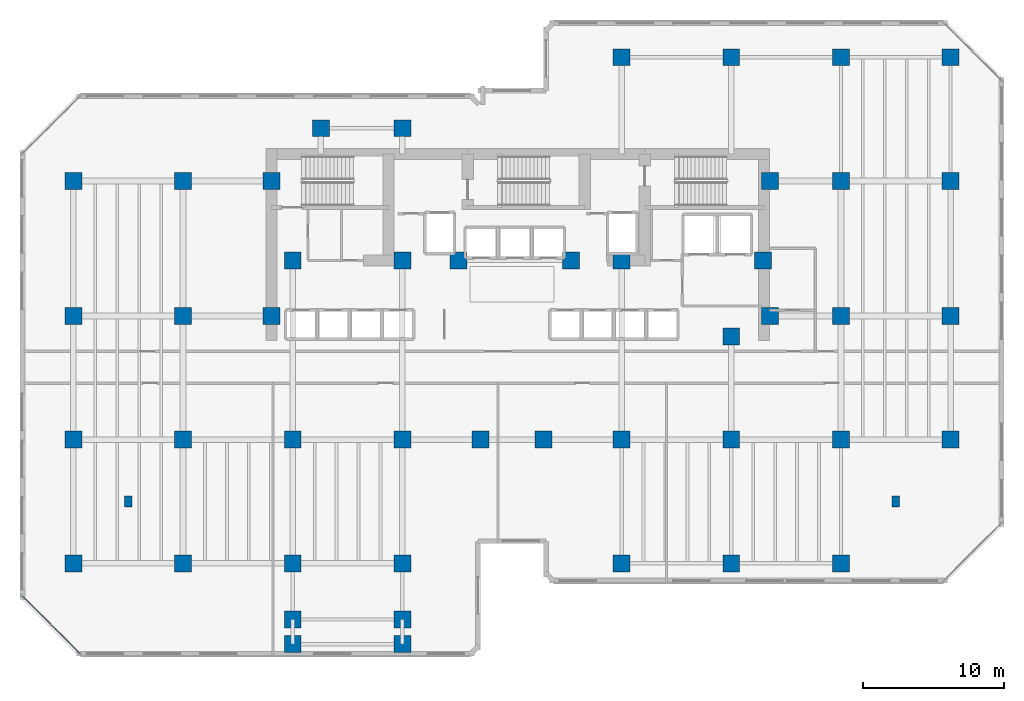
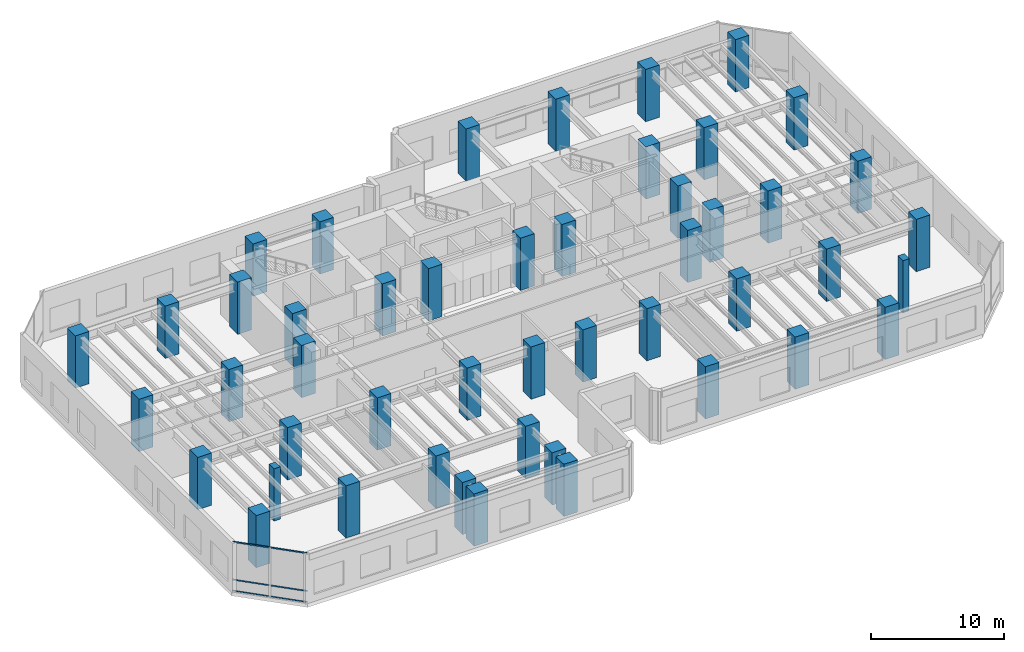
# One storey, part 1 of 17: 48 columns, 6 members, 1 element without a shape of its own.
"""IFC4 building model written with IfcOpenShell, lengths in metres."""

import ifcopenshell
import ifcopenshell.guid

model = None  # the IFC model being written
_history = None  # IfcOwnerHistory: only IFC2X3 demands one
_inside = {}  # id of a spatial element -> (the spatial element, [elements in it])
_under = {}  # id of a project, library or spatial element -> (it, [spatial elements below it])
_declared = {}  # id of a project -> (the project, [libraries it declares])
_typed = {}  # id of a type object -> (the type object, [elements of that type])
_made_of = {}  # id of a material, layer set ... -> (it, [elements and type objects made of it])


def new_model(schema):
    """Start an empty IFC model of exactly this schema.

    Asked for "IFC4X3", IfcOpenShell would pick the latest addendum, in which some entities
    have other attributes; the version numbers below select the first issue.
    IFC2X3 requires an IfcOwnerHistory on every rooted entity: one is made here for all.
    """
    global model, _history
    if schema == "IFC4X3":
        model = ifcopenshell.file(schema_version=(4, 3, 0, 0))
    else:
        model = ifcopenshell.file(schema=schema)
    _inside.clear()
    _under.clear()
    _declared.clear()
    _typed.clear()
    _made_of.clear()
    _history = None
    if model.schema == "IFC2X3":
        org = make("IfcOrganization", Name="unknown")
        user = make(
            "IfcPersonAndOrganization",
            ThePerson=make("IfcPerson", FamilyName="unknown"),
            TheOrganization=org,
        )
        app = make(
            "IfcApplication",
            ApplicationDeveloper=org,
            Version="unknown",
            ApplicationFullName="unknown",
            ApplicationIdentifier="unknown",
        )
        _history = make(
            "IfcOwnerHistory",
            OwningUser=user,
            OwningApplication=app,
            ChangeAction="ADDED",
            CreationDate=0,
        )
    return model


def make(cls, **values):
    """One entity of the class cls with the attributes given. An attribute that is None is left unset."""
    return model.create_entity(
        cls, **{name: value for name, value in values.items() if value is not None}
    )


def rooted(cls, **values):
    """An entity with a GlobalId (a new one), such as an element, a storey or a relation."""
    return make(cls, GlobalId=ifcopenshell.guid.new(), OwnerHistory=_history, **values)


def si_unit(unit_type, name, prefix=None):
    """IfcSIUnit, for example si_unit("LENGTHUNIT", "METRE", prefix="MILLI")."""
    return make("IfcSIUnit", UnitType=unit_type, Prefix=prefix, Name=name)


def assignment(units):
    """IfcUnitAssignment: the units of a project."""
    return None if units is None else make("IfcUnitAssignment", Units=units)


def point(xyz):
    """IfcCartesianPoint."""
    return None if xyz is None else make("IfcCartesianPoint", Coordinates=xyz)


def direction(xyz):
    """IfcDirection."""
    return None if xyz is None else make("IfcDirection", DirectionRatios=xyz)


def frame(location, z_axis=None, x_axis=None):
    """IfcAxis2Placement3D, a coordinate frame: its origin and axes. An axis left out is left unset."""
    return make(
        "IfcAxis2Placement3D",
        Location=point(location),
        Axis=direction(z_axis),
        RefDirection=direction(x_axis),
    )


def frame_2d(location, x_axis=None):
    """IfcAxis2Placement2D, a coordinate frame in the plane: its origin and x axis."""
    return make(
        "IfcAxis2Placement2D", Location=point(location), RefDirection=direction(x_axis)
    )


def origin():
    """The frame at (0, 0, 0) with its axes left unset."""
    return frame((0.0, 0.0, 0.0))


def origin_2d():
    """The frame at (0, 0) in the plane with its x axis left unset."""
    return frame_2d((0.0, 0.0))


def place(relative_to, where):
    """IfcLocalPlacement: puts the frame where relative to a parent placement (None: the world)."""
    return make(
        "IfcLocalPlacement", PlacementRelTo=relative_to, RelativePlacement=where
    )


def context(
    kind, dimensions, precision=None, world=None, true_north=None, identifier=None
):
    """IfcGeometricRepresentationContext, for example the 3D "Model" context."""
    return make(
        "IfcGeometricRepresentationContext",
        ContextIdentifier=identifier,
        ContextType=kind,
        CoordinateSpaceDimension=dimensions,
        Precision=precision,
        WorldCoordinateSystem=world,
        TrueNorth=true_north,
    )


def subcontext(parent, identifier, kind, view, scale=None):
    """IfcGeometricRepresentationSubContext, for example "Body" below "Model"."""
    return make(
        "IfcGeometricRepresentationSubContext",
        ContextIdentifier=identifier,
        ContextType=kind,
        ParentContext=parent,
        TargetScale=scale,
        TargetView=view,
    )


def project(units=None, contexts=None):
    """IfcProject with its units and contexts."""
    return rooted(
        "IfcProject",
        Name="project",
        RepresentationContexts=contexts,
        UnitsInContext=assignment(units),
    )


def spatial(cls, under=None, at=None, **own):
    """A site, building, storey or space (cls), placed at a placement, below another one or the project."""
    s = rooted(cls, ObjectPlacement=at, **own)
    if under is not None:
        _under.setdefault(under.id(), (under, []))[1].append(s)
    return s


def profile(cls, at=None, kind="AREA", **sizes):
    """A parametric profile (cls). Its sizes go by their IFC names, for example OverallWidth=200.0."""
    return make(cls, ProfileType=kind, Position=at, **sizes)


def rectangle(**sizes):
    """IfcRectangleProfileDef."""
    return profile("IfcRectangleProfileDef", **sizes)


def hollow_rectangle(**sizes):
    """IfcRectangleHollowProfileDef."""
    return profile("IfcRectangleHollowProfileDef", **sizes)


def extrude(swept, where, along, depth):
    """IfcExtrudedAreaSolid: the profile swept, set in the frame where, extruded along a direction by depth."""
    return make(
        "IfcExtrudedAreaSolid",
        SweptArea=swept,
        Position=where,
        ExtrudedDirection=direction(along),
        Depth=depth,
    )


def shape(context_of_items, identifier, shape_type, items):
    """IfcShapeRepresentation: the items that make up one representation, for example the "Body"."""
    return make(
        "IfcShapeRepresentation",
        ContextOfItems=context_of_items,
        RepresentationIdentifier=identifier,
        RepresentationType=shape_type,
        Items=items,
    )


def material(Name=None, Category=None):
    """IfcMaterial."""
    return make("IfcMaterial", Name=Name, Category=Category)


def layer(
    of_material, thickness, ventilated=None, Name=None, Category=None, Priority=None
):
    """IfcMaterialLayer: one layer of a wall or slab, of a material (None: an air gap)."""
    return make(
        "IfcMaterialLayer",
        Material=of_material,
        LayerThickness=thickness,
        IsVentilated=ventilated,
        Name=Name,
        Category=Category,
        Priority=Priority,
    )


def layer_set(layers, Name=None):
    """IfcMaterialLayerSet."""
    return make("IfcMaterialLayerSet", MaterialLayers=layers, LayerSetName=Name)


def material_profile(
    of_material, cross_section, Name=None, Category=None, Priority=None
):
    """IfcMaterialProfile: a cross section and its material."""
    return make(
        "IfcMaterialProfile",
        Name=Name,
        Material=of_material,
        Profile=cross_section,
        Priority=Priority,
        Category=Category,
    )


def profile_set(profiles, Name=None, composite=None):
    """IfcMaterialProfileSet."""
    return make(
        "IfcMaterialProfileSet",
        Name=Name,
        MaterialProfiles=profiles,
        CompositeProfile=composite,
    )


def made_of(thing, what):
    """Note that an element or type object is made of a material, layer set ...; save() writes the relation."""
    if what is not None:
        _made_of.setdefault(what.id(), (what, []))[1].append(thing)
    return thing


def type_object(cls, material=None, **own):
    """A type object (cls), such as IfcWallType, which elements share."""
    return made_of(rooted(cls, **own), material)


def element(
    cls,
    number,
    at=None,
    inside=None,
    cuts=None,
    type_object=None,
    material=None,
    context=None,
    identifier="Body",
    shape_type=None,
    held_by="IfcProductDefinitionShape",
    body=None,
    shapes=None,
    **own,
):
    """One element of the class cls, such as IfcWall. Its Tag is "e" and its number.

    at: its placement. inside: the storey or other place that contains it. cuts: it is an
    opening in that element (IfcRelVoidsElement). A single representation is given by context,
    identifier, shape_type and body (its items); several are given by shapes. held_by: the class
    of the entity that holds the representations. save() writes the other relations.
    """
    e = rooted(cls, Tag="e%d" % number, ObjectPlacement=at, **own)
    if body is not None:
        shapes = [shape(context, identifier, shape_type, body)]
    if shapes is not None:
        e.Representation = make(held_by, Representations=shapes)
    if inside is not None:
        _inside.setdefault(inside.id(), (inside, []))[1].append(e)
    if cuts is not None:
        rooted(
            "IfcRelVoidsElement", RelatingBuildingElement=cuts, RelatedOpeningElement=e
        )
    if type_object is not None:
        _typed.setdefault(type_object.id(), (type_object, []))[1].append(e)
    return made_of(e, material)


def aggregate(whole, parts):
    """IfcRelAggregates: a whole, such as a stair, and the parts it consists of."""
    return rooted("IfcRelAggregates", RelatingObject=whole, RelatedObjects=parts)


def save(model, path):
    """Write the relations noted so far, then the file.

    IfcRelAggregates (storeys below a building ...), IfcRelContainedInSpatialStructure (elements
    in a storey), IfcRelDefinesByType, IfcRelAssociatesMaterial and IfcRelDeclares: one each for
    every whole, place, type object, material and project.
    """
    for whole, parts in _under.values():
        aggregate(whole, parts)
    for where, things in _inside.values():
        rooted(
            "IfcRelContainedInSpatialStructure",
            RelatedElements=things,
            RelatingStructure=where,
        )
    for kind, things in _typed.values():
        rooted("IfcRelDefinesByType", RelatedObjects=things, RelatingType=kind)
    for what, things in _made_of.values():
        rooted("IfcRelAssociatesMaterial", RelatedObjects=things, RelatingMaterial=what)
    for by, libraries in _declared.values():
        rooted("IfcRelDeclares", RelatingContext=by, RelatedDefinitions=libraries)
    model.write(path)


model = new_model("IFC4")

# Units and contexts
model_context = context("Model", 3, precision=1e-05, world=origin(), true_north=direction((0.0, 1.0)))
body_context = subcontext(model_context, "Body", "Model", "MODEL_VIEW")
ifc_project = project(units=[si_unit("LENGTHUNIT", "METRE"), si_unit("AREAUNIT", "SQUARE_METRE"), si_unit("VOLUMEUNIT", "CUBIC_METRE"), si_unit("PLANEANGLEUNIT", "RADIAN"), si_unit("MASSUNIT", "GRAM", prefix="KILO")], contexts=[model_context])

# Site, building, storey
site_placement = place(None, origin())
site = spatial("IfcSite", under=ifc_project, at=site_placement, CompositionType="ELEMENT")
building_placement = place(site_placement, origin())
building = spatial("IfcBuilding", under=site, at=building_placement, Name="Kestravale Grand Hotel", CompositionType="ELEMENT")
storey_placement = place(building_placement, frame((0.0, 0.0, 129.800048828125)))
storey = spatial("IfcBuildingStorey", under=building, at=storey_placement, Name="L32", CompositionType="ELEMENT", Elevation=129.800048828125)

# Columns
ifc_material_1 = material(Name="Concrete f'c 60 MPa", Category="concrete")
ifc_material_profile_1 = material_profile(ifc_material_1, rectangle(XDim=1.199951171875, YDim=1.199951171875, at=origin_2d()))
ifc_profile_set_1 = profile_set([ifc_material_profile_1], Name="Concrete f'c 60 MPa")
column_type_1 = type_object("IfcColumnType", Name="C-Z2-1200", PredefinedType="COLUMN", material=ifc_profile_set_1)
for number, where, z_axis, x_axis, name in (
    (1, (7.800048828125, 11.199951171875, 0.0), (0.0, 0.0, 1.0), (1.0, 0.0, 0.0), "L32 column 2-C"),
    (2, (7.800048828125, 20.0, 0.0), (0.0, 0.0, 1.0), (1.0, 0.0, 0.0), "L32 column 2-D"),
    (3, (7.800048828125, 28.800048828125, 0.0), (0.0, 0.0, 1.0), (1.0, 0.0, 0.0), "L32 column 2-E"),
    (4, (7.800048828125, 38.39990234375, 0.0), (0.0, 0.0, 1.0), (1.0, 0.0, 0.0), "L32 column 2-F"),
    (5, (15.60009765625, 11.199951171875, 0.0), (0.0, 0.0, 1.0), (1.0, 0.0, 0.0), "L32 column 3-C"),
    (6, (15.60009765625, 20.0, 0.0), (0.0, 0.0, 1.0), (1.0, 0.0, 0.0), "L32 column 3-D"),
    (7, (15.60009765625, 28.800048828125, 0.0), (0.0, 0.0, 1.0), (1.0, 0.0, 0.0), "L32 column 3-E"),
    (8, (15.60009765625, 38.39990234375, 0.0), (0.0, 0.0, 1.0), (1.0, 0.0, 0.0), "L32 column 3-F"),
    (9, (23.39990234375, 11.199951171875, 0.0), (0.0, 0.0, 1.0), (1.0, 0.0, 0.0), "L32 column 4-C"),
    (10, (23.39990234375, 20.0, 0.0), (0.0, 0.0, 1.0), (1.0, 0.0, 0.0), "L32 column 4-D"),
    (11, (31.199951171875, 11.199951171875, 0.0), (0.0, 0.0, 1.0), (1.0, 0.0, 0.0), "L32 column 5-C"),
    (12, (31.199951171875, 20.0, 0.0), (0.0, 0.0, 1.0), (1.0, 0.0, 0.0), "L32 column 5-D"),
    (13, (36.75, 20.0, 0.0), (0.0, 0.0, 1.0), (1.0, 0.0, 0.0), "L32 column 6-D"),
    (14, (41.25, 20.0, 0.0), (0.0, 0.0, 1.0), (1.0, 0.0, 0.0), "L32 column 7-D"),
    (15, (46.800048828125, 11.199951171875, 0.0), (0.0, 0.0, 1.0), (1.0, 0.0, 0.0), "L32 column 8-C"),
    (16, (46.800048828125, 20.0, 0.0), (0.0, 0.0, 1.0), (1.0, 0.0, 0.0), "L32 column 8-D"),
    (17, (46.800048828125, 47.199951171875, 0.0), (0.0, 0.0, 1.0), (1.0, 0.0, 0.0), "L32 column 8-G"),
    (18, (54.60009765625, 11.199951171875, 0.0), (0.0, 0.0, 1.0), (1.0, 0.0, 0.0), "L32 column 9-C"),
    (19, (54.60009765625, 20.0, 0.0), (0.0, 0.0, 1.0), (1.0, 0.0, 0.0), "L32 column 9-D"),
    (20, (54.60009765625, 47.199951171875, 0.0), (0.0, 0.0, 1.0), (1.0, 0.0, 0.0), "L32 column 9-G"),
    (21, (62.39990234375, 11.199951171875, 0.0), (0.0, 0.0, 1.0), (1.0, 0.0, 0.0), "L32 column 10-C"),
    (22, (62.39990234375, 20.0, 0.0), (0.0, 0.0, 1.0), (1.0, 0.0, 0.0), "L32 column 10-D"),
    (23, (62.39990234375, 28.800048828125, 0.0), (0.0, 0.0, 1.0), (1.0, 0.0, 0.0), "L32 column 10-E"),
    (24, (62.39990234375, 38.39990234375, 0.0), (0.0, 0.0, 1.0), (1.0, 0.0, 0.0), "L32 column 10-F"),
    (25, (62.39990234375, 47.199951171875, 0.0), (0.0, 0.0, 1.0), (1.0, 0.0, 0.0), "L32 column 10-G"),
    (26, (70.199951171875, 20.0, 0.0), (0.0, 0.0, 1.0), (1.0, 0.0, 0.0), "L32 column 11-D"),
    (27, (70.199951171875, 28.800048828125, 0.0), (0.0, 0.0, 1.0), (1.0, 0.0, 0.0), "L32 column 11-E"),
    (28, (70.199951171875, 38.39990234375, 0.0), (0.0, 0.0, 1.0), (1.0, 0.0, 0.0), "L32 column 11-F"),
    (29, (70.199951171875, 47.199951171875, 0.0), (0.0, 0.0, 1.0), (1.0, 0.0, 0.0), "L32 column 11-G"),
    (30, (21.89990234375, 28.800048828125, 0.0), (0.0, 0.0, 1.0), (1.0, 0.0, 0.0), "L32 column CW-E"),
    (31, (21.89990234375, 38.39990234375, 0.0), (0.0, 0.0, 1.0), (1.0, 0.0, 0.0), "L32 column CW-F"),
    (32, (57.35009765625, 28.800048828125, 0.0), (0.0, 0.0, 1.0), (1.0, 0.0, 0.0), "L32 column CE-E"),
    (33, (57.35009765625, 38.39990234375, 0.0), (0.0, 0.0, 1.0), (1.0, 0.0, 0.0), "L32 column CE-F"),
    (34, (23.39990234375, 32.75, 0.0), (0.0, 0.0, 1.0), (1.0, 0.0, 0.0), "L32 column 4-CS"),
    (35, (31.199951171875, 32.75, 0.0), (0.0, 0.0, 1.0), (1.0, 0.0, 0.0), "L32 column 5-CS"),
    (36, (35.199951171875, 32.75, 0.0), (0.0, 0.0, 1.0), (1.0, 0.0, 0.0), "L32 column 6C-CS"),
    (37, (43.199951171875, 32.75, 0.0), (0.0, 0.0, 1.0), (1.0, 0.0, 0.0), "L32 column 7C-CS"),
    (38, (46.800048828125, 32.75, 0.0), (0.0, 0.0, 1.0), (1.0, 0.0, 0.0), "L32 column 8-CS"),
    (39, (54.60009765625, 27.35009765625, 0.0), (0.0, 0.0, 1.0), (1.0, 0.0, 0.0), "L32 column 9-CS"),
    (40, (56.85009765625, 32.75, 0.0), (0.0, 0.0, 1.0), (1.0, 0.0, 0.0), "L32 column 9C-CS"),
    (41, (23.39990234375, 7.199951171875, 0.0), (0.0, 0.0, 1.0), (1.0, 0.0, 0.0), "L32 column 4-BS"),
    (42, (31.199951171875, 7.199951171875, 0.0), (0.0, 0.0, 1.0), (1.0, 0.0, 0.0), "L32 column 5-BS"),
    (43, (25.39990234375, 42.14990234375, 0.0), (0.0, 0.0, 1.0), (1.0, 0.0, 0.0), "L32 column 4-FN"),
    (44, (31.199951171875, 42.14990234375, 0.0), (0.0, 0.0, 1.0), (1.0, 0.0, 0.0), "L32 column 5-FN"),
    (45, (23.39990234375, 5.449951171875, 0.0), (0.0, 0.0, 1.0), (1.0, 0.0, 0.0), "L32 column 4-B1S"),
    (46, (31.199951171875, 5.449951171875, 0.0), (0.0, 0.0, 1.0), (1.0, 0.0, 0.0), "L32 column 5-B1S"),
):
    element("IfcColumn", number, at=place(storey_placement, frame(where, z_axis=z_axis, x_axis=x_axis)), inside=storey, type_object=column_type_1, Name=name, PredefinedType="COLUMN", context=body_context, shape_type="SweptSolid", body=[
        extrude(rectangle(XDim=1.199951171875, YDim=1.199951171875, at=origin_2d()), origin(), (0.0, 0.0, 1.0), 4.800048828125),
    ])
ifc_material_2 = material(Name="Precast concrete f'c 45 MPa", Category="concrete")
ifc_material_profile_2 = material_profile(ifc_material_2, rectangle(XDim=0.550048828125, YDim=0.75, at=origin_2d()))
ifc_profile_set_2 = profile_set([ifc_material_profile_2], Name="Precast concrete f'c 45 MPa")
column_type_2 = type_object("IfcColumnType", Name="C-Z3-PIL750", PredefinedType="PILASTER", material=ifc_profile_set_2)
for number, where, z_axis, x_axis, name in (
    (47, (11.699951171875, 15.60009765625, 0.0), (0.0, 0.0, 1.0), (1.0, 0.0, 0.0), "L32 Art Deco fluted pilaster P1"),
    (48, (66.300048828125, 15.60009765625, 0.0), (0.0, 0.0, 1.0), (1.0, 0.0, 0.0), "L32 Art Deco fluted pilaster P2"),
):
    element("IfcColumn", number, at=place(storey_placement, frame(where, z_axis=z_axis, x_axis=x_axis)), inside=storey, type_object=column_type_2, Name=name, PredefinedType="PILASTER", context=body_context, shape_type="SweptSolid", body=[
        extrude(rectangle(XDim=0.550048828125, YDim=0.75, at=origin_2d()), origin(), (0.0, 0.0, 1.0), 4.800048828125),
    ])

# Curtain wall, members
ifc_material_3 = material(Name="Thermally broken champagne-bronze aluminium and low-E glazing", Category="aluminium")
ifc_layer = layer(ifc_material_3, 0.199951171875)
ifc_layer_set = layer_set([ifc_layer], Name="CW-Z2")
curtain_wall_type = type_object("IfcCurtainWallType", Name="CW-Z2", PredefinedType="NOTDEFINED", material=ifc_layer_set)
curtain_wall_placement = place(storey_placement, origin())
curtain_wall = element("IfcCurtainWall", 49, at=curtain_wall_placement, inside=storey, type_object=curtain_wall_type, Name="L32 unitised curtain wall 20", PredefinedType="NOTDEFINED")
ifc_material_4 = material(Name="Aluminium 6063-T6 anodised", Category="aluminium")
ifc_material_profile_3 = material_profile(ifc_material_4, hollow_rectangle(XDim=0.06494140625, YDim=0.114990234375, WallThickness=0.003173828125, at=origin_2d()))
ifc_profile_set_3 = profile_set([ifc_material_profile_3], Name="Aluminium 6063-T6 anodised")
member_type = type_object("IfcMemberType", Name="CW-TRN-115", PredefinedType="USERDEFINED", material=ifc_profile_set_3)
member_1_placement = place(storey_placement, frame((4.158935546875, 8.88134765625, 0.032470703125), z_axis=(0.707106781187, -0.707106781187, 0.0), x_axis=(0.707106781187, 0.707106781187, 0.0)))
member_1 = element("IfcMember", 50, at=member_1_placement, type_object=member_type, Name="CW-Z2 transom 1.1", ObjectType="TRANSOM", PredefinedType="USERDEFINED", context=body_context, shape_type="SweptSolid", body=[
    extrude(hollow_rectangle(XDim=0.06494140625, YDim=0.114990234375, WallThickness=0.003173828125, at=origin_2d()), origin(), (0.0, 0.0, 1.0), 2.87744140625),
])
member_2_placement = place(storey_placement, frame((4.158935546875, 8.88134765625, 1.050048828125), z_axis=(0.707106781187, -0.707106781187, 0.0), x_axis=(0.707106781187, 0.707106781187, 0.0)))
member_2 = element("IfcMember", 51, at=member_2_placement, type_object=member_type, Name="CW-Z2 transom 1.2", ObjectType="TRANSOM", PredefinedType="USERDEFINED", context=body_context, shape_type="SweptSolid", body=[
    extrude(hollow_rectangle(XDim=0.06494140625, YDim=0.114990234375, WallThickness=0.003173828125, at=origin_2d()), origin(), (0.0, 0.0, 1.0), 2.87744140625),
])
member_3_placement = place(storey_placement, frame((4.158935546875, 8.88134765625, 4.517333984375), z_axis=(0.707106781187, -0.707106781187, 0.0), x_axis=(0.707106781187, 0.707106781187, 0.0)))
member_3 = element("IfcMember", 52, at=member_3_placement, type_object=member_type, Name="CW-Z2 transom 1.3", ObjectType="TRANSOM", PredefinedType="USERDEFINED", context=body_context, shape_type="SweptSolid", body=[
    extrude(hollow_rectangle(XDim=0.06494140625, YDim=0.114990234375, WallThickness=0.003173828125, at=origin_2d()), origin(), (0.0, 0.0, 1.0), 2.87744140625),
])
member_4_placement = place(storey_placement, frame((6.246826171875, 6.793701171875, 0.032470703125), z_axis=(0.707064354356, -0.707149205472, 0.0), x_axis=(0.707149205472, 0.707064354356, 0.0)))
member_4 = element("IfcMember", 53, at=member_4_placement, type_object=member_type, Name="CW-Z2 transom 2.1", ObjectType="TRANSOM", PredefinedType="USERDEFINED", context=body_context, shape_type="SweptSolid", body=[
    extrude(hollow_rectangle(XDim=0.06494140625, YDim=0.114990234375, WallThickness=0.003173828125, at=origin_2d()), origin(), (0.0, 0.0, 1.0), 2.877197265625),
])
member_5_placement = place(storey_placement, frame((6.246826171875, 6.793701171875, 1.050048828125), z_axis=(0.707064354356, -0.707149205472, 0.0), x_axis=(0.707149205472, 0.707064354356, 0.0)))
member_5 = element("IfcMember", 54, at=member_5_placement, type_object=member_type, Name="CW-Z2 transom 2.2", ObjectType="TRANSOM", PredefinedType="USERDEFINED", context=body_context, shape_type="SweptSolid", body=[
    extrude(hollow_rectangle(XDim=0.06494140625, YDim=0.114990234375, WallThickness=0.003173828125, at=origin_2d()), origin(), (0.0, 0.0, 1.0), 2.877197265625),
])
member_6_placement = place(storey_placement, frame((6.246826171875, 6.793701171875, 4.517333984375), z_axis=(0.707064354356, -0.707149205472, 0.0), x_axis=(0.707149205472, 0.707064354356, 0.0)))
member_6 = element("IfcMember", 55, at=member_6_placement, type_object=member_type, Name="CW-Z2 transom 2.3", ObjectType="TRANSOM", PredefinedType="USERDEFINED", context=body_context, shape_type="SweptSolid", body=[
    extrude(hollow_rectangle(XDim=0.06494140625, YDim=0.114990234375, WallThickness=0.003173828125, at=origin_2d()), origin(), (0.0, 0.0, 1.0), 2.877197265625),
])
aggregate(curtain_wall, [member_1, member_2, member_3, member_4, member_5, member_6])

save(model, "model.ifc")
